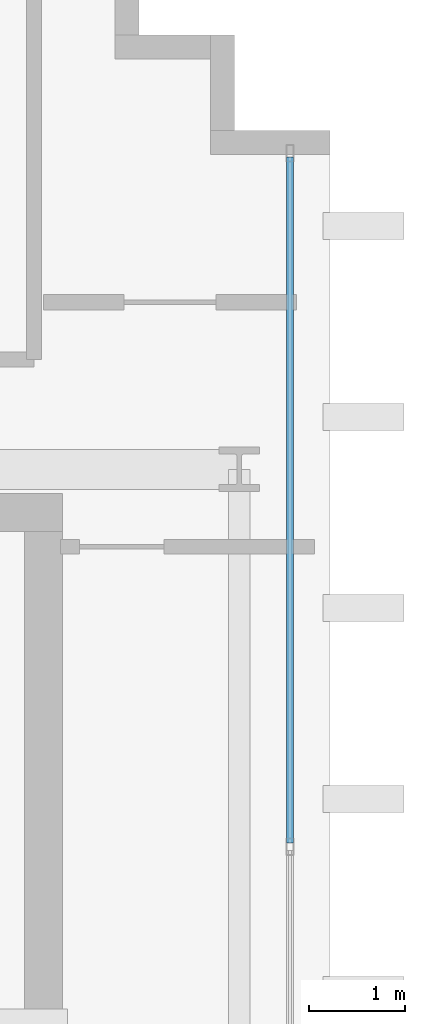
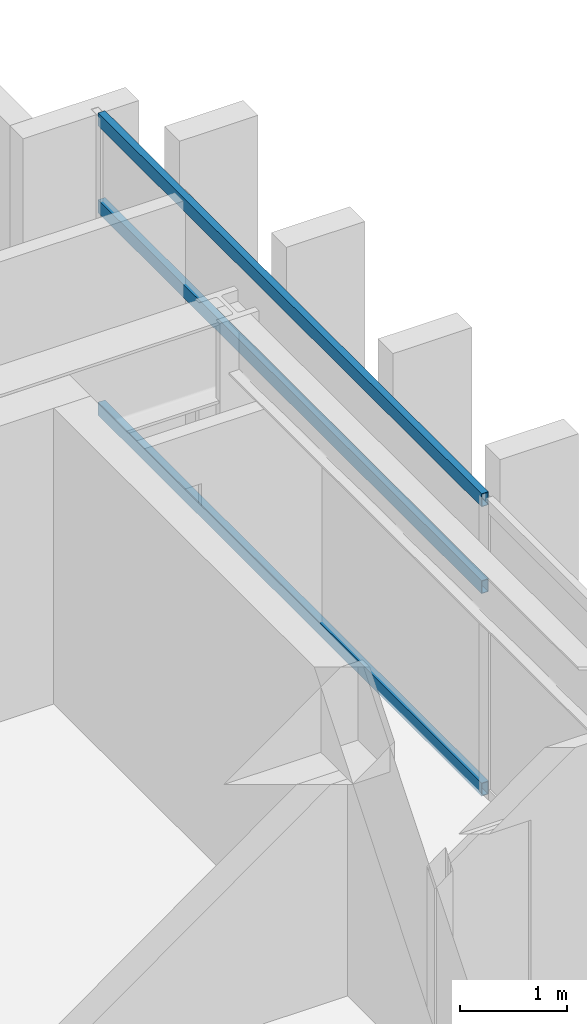
# One storey, part 15 of 25: 3 members, 1 element without a shape of its own.
"""IFC4 building model written with IfcOpenShell, lengths in metres."""

from ifc_helpers import new_model, si_unit, direction, frame, origin, origin_2d, place, context, subcontext, project, spatial, hollow_rectangle, extrude, source, transform, mapped, material, layer, layer_set, material_profile, profile_set, type_object, element, aggregate, save


model = new_model("IFC4")

# Units and contexts
model_context = context("Model", 3, precision=1e-05, world=origin(), true_north=direction((0.0, 1.0)))
body_context = subcontext(model_context, "Body", "Model", "MODEL_VIEW")
ifc_project = project(units=[si_unit("LENGTHUNIT", "METRE"), si_unit("AREAUNIT", "SQUARE_METRE"), si_unit("VOLUMEUNIT", "CUBIC_METRE"), si_unit("PLANEANGLEUNIT", "RADIAN"), si_unit("MASSUNIT", "GRAM", prefix="KILO")], contexts=[model_context])

# Site, building, storey
site_placement = place(None, origin())
site = spatial("IfcSite", under=ifc_project, at=site_placement, CompositionType="ELEMENT")
building_placement = place(site_placement, origin())
building = spatial("IfcBuilding", under=site, at=building_placement, Name="Ocotamira Hotel", CompositionType="ELEMENT")
storey_placement = place(building_placement, frame((0.0, 0.0, 258.0)))
storey = spatial("IfcBuildingStorey", under=building, at=storey_placement, Name="L65", CompositionType="ELEMENT", Elevation=258.0)

# Curtain wall, members
ifc_material_1 = material(Name="Anodised pale-metal aluminium and solar glass", Category="aluminium")
ifc_layer = layer(ifc_material_1, 0.2099609375)
ifc_layer_set = layer_set([ifc_layer], Name="Anodised pale-metal aluminium and solar glass")
curtain_wall_type = type_object("IfcCurtainWallType", Name="CW-SYS7-PEAK", PredefinedType="NOTDEFINED", material=ifc_layer_set)
curtain_wall_placement = place(storey_placement, origin())
curtain_wall = element("IfcCurtainWall", 1, at=curtain_wall_placement, inside=storey, type_object=curtain_wall_type, Name="L65 Curtain Wall CW-7 CW-L65-EO2", PredefinedType="NOTDEFINED")
ifc_material_2 = material(Name="Anodised pale-metal aluminium 6063-T6", Category="aluminium")
ifc_material_profile = material_profile(ifc_material_2, hollow_rectangle(XDim=0.074951171875, YDim=0.14990234375, WallThickness=0.006103515625, at=origin_2d()), Name="HSS150X75X6")
ifc_profile_set = profile_set([ifc_material_profile], Name="Anodised pale-metal aluminium 6063-T6")
member_type = type_object("IfcMemberType", Name="CWT-150X75", PredefinedType="USERDEFINED", material=ifc_profile_set)
shared_shape = source(origin(), body_context, "Body", "SweptSolid", [
    extrude(hollow_rectangle(XDim=0.074951171875, YDim=0.14990234375, WallThickness=0.006103515625, at=origin_2d()), origin(), (0.0, 0.0, 1.0), 7.179931640625),
])
member_1_placement = place(storey_placement, frame((55.580078125, 33.5400390625, 0.03759765625), z_axis=(0.0, 1.0, 0.0), x_axis=(-1.0, 0.0, 0.0)))
member_1 = element("IfcMember", 2, at=member_1_placement, type_object=member_type, Name="CW-7 transom 2.1", ObjectType="TRANSOM", PredefinedType="USERDEFINED", context=body_context, shape_type="MappedRepresentation", body=[
    mapped(shared_shape, transform((0.0, 0.0, 0.0), scale=1.0)),
])
member_2_placement = place(storey_placement, frame((55.580078125, 33.5400390625, 2.35009765625), z_axis=(0.0, 1.0, 0.0), x_axis=(-1.0, 0.0, 0.0)))
member_2 = element("IfcMember", 3, at=member_2_placement, type_object=member_type, Name="CW-7 transom 2.2", ObjectType="TRANSOM", PredefinedType="USERDEFINED", context=body_context, shape_type="MappedRepresentation", body=[
    mapped(shared_shape, transform((0.0, 0.0, 0.0), scale=1.0)),
])
member_3_placement = place(storey_placement, frame((55.580078125, 33.5400390625, 3.342529296875), z_axis=(0.0, 1.0, 0.0), x_axis=(-1.0, 0.0, 0.0)))
member_3 = element("IfcMember", 4, at=member_3_placement, type_object=member_type, Name="CW-7 transom 2.3", ObjectType="TRANSOM", PredefinedType="USERDEFINED", context=body_context, shape_type="MappedRepresentation", body=[
    mapped(shared_shape, transform((0.0, 0.0, 0.0), scale=1.0)),
])
aggregate(curtain_wall, [member_1, member_2, member_3])

save(model, "model.ifc")
